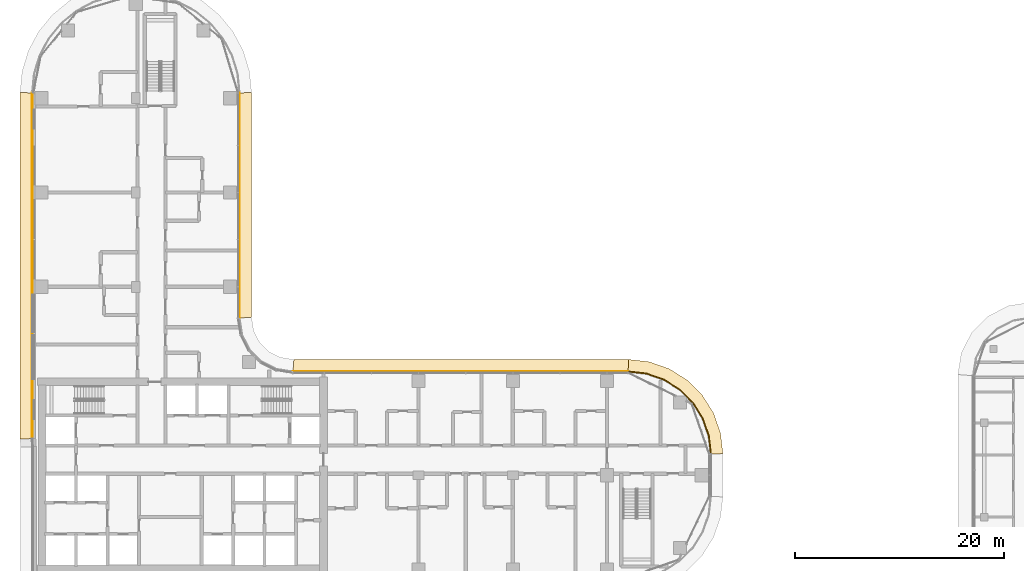
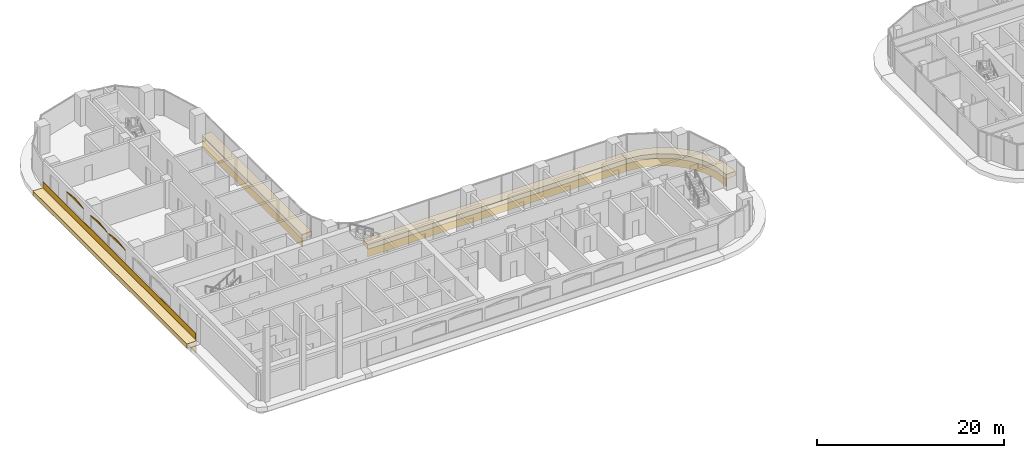
# One storey, part 36 of 40: 12 coverings.
"""IFC4 building model written with IfcOpenShell, lengths in metres."""

from ifc_helpers import new_model, si_unit, direction, frame, origin, origin_2d, place, context, subcontext, project, spatial, polyline, rectangle, outline, extrude, material, layer, layer_set, type_object, element, save


model = new_model("IFC4")

# Units and contexts
model_context = context("Model", 3, precision=1e-05, world=origin(), true_north=direction((0.0, 1.0)))
body_context = subcontext(model_context, "Body", "Model", "MODEL_VIEW")
ifc_project = project(units=[si_unit("LENGTHUNIT", "METRE"), si_unit("AREAUNIT", "SQUARE_METRE"), si_unit("VOLUMEUNIT", "CUBIC_METRE"), si_unit("PLANEANGLEUNIT", "RADIAN"), si_unit("MASSUNIT", "GRAM", prefix="KILO")], contexts=[model_context])

# Site, building, storey
site_placement = place(None, origin())
site = spatial("IfcSite", under=ifc_project, at=site_placement, CompositionType="ELEMENT")
building_placement = place(site_placement, origin())
building = spatial("IfcBuilding", under=site, at=building_placement, Name="Ogive Portal Towers", CompositionType="ELEMENT")
storey_placement = place(building_placement, frame((0.0, 0.0, 87.10009765625)))
storey = spatial("IfcBuildingStorey", under=building, at=storey_placement, Name="L20", CompositionType="ELEMENT", Elevation=87.10009765625)

# Coverings
ifc_material = material(Name="Limestone cladding on lightweight block wall", Category="masonry")
ifc_layer_1 = layer(ifc_material, 0.0400390625)
ifc_layer_set_1 = layer_set([ifc_layer_1], Name="LANCET HEAD STONE")
covering_type_1 = type_object("IfcCoveringType", Name="LANCET HEAD STONE", PredefinedType="CLADDING", material=ifc_layer_set_1)
for number, where, z_axis, x_axis, name in (
    (1, (30.64501953125, 61.85009765625, 2.599853515625), (0.999948962613, 0.0, 0.010103077205), (0.0, -1.0, 0.0), "Lancet head"),
    (2, (30.64501953125, 56.75, 2.599853515625), (0.999948962613, 0.0, 0.010103077205), (0.0, -1.0, 0.0), "Lancet head"),
    (3, (30.64501953125, 52.85009765625, 2.599853515625), (0.999948962613, 0.0, 0.010103077205), (0.0, -1.0, 0.0), "Lancet head"),
):
    element("IfcCovering", number, at=place(storey_placement, frame(where, z_axis=z_axis, x_axis=x_axis)), inside=storey, type_object=covering_type_1, Name=name, PredefinedType="CLADDING", context=body_context, shape_type="SweptSolid", body=[
        extrude(outline(polyline([(0.0, 0.0), (3.60009765625, 0.0), (3.5205078125, -0.037600670507037484), (3.375, -0.07495474627779121), (3.186767578125, -0.1125554167848287), (2.963623046875, -0.15015362072028288), (2.710693359375, -0.18751016306261992), (2.430908203125, -0.2251083669980741), (2.126708984375, -0.2624649093404111), (1.800048828125, -0.3000631132758653), (1.473388671875, -0.2624649093404111), (1.169189453125, -0.2251083669980741), (0.889404296875, -0.18751016306261992), (0.636474609375, -0.15015362072028288), (0.413330078125, -0.1125554167848287), (0.22509765625, -0.07495474627779121), (0.07958984375, -0.037600670507037484), (0.0, 0.0)])), origin(), (0.0, 0.0, -1.0), 0.0400390625),
    ])
ifc_layer_2 = layer(ifc_material, 0.050048828125)
ifc_layer_set_2 = layer_set([ifc_layer_2], Name="SCREEN PERFORATED STONE")
covering_type_2 = type_object("IfcCoveringType", Name="SCREEN PERFORATED STONE", PredefinedType="CLADDING", material=ifc_layer_set_2)
covering_1_placement = place(storey_placement, frame((30.6201171875, 50.50146484375, 0.10009765625), z_axis=(0.0, 0.0, 1.0), x_axis=(0.0, -1.0, 0.0)))
element("IfcCovering", 4, at=covering_1_placement, inside=storey, type_object=covering_type_2, Name="Tracery screen", PredefinedType="CLADDING", context=body_context, shape_type="SweptSolid", body=[
    extrude(rectangle(XDim=32.781494140625, YDim=0.050048828125, at=origin_2d()), origin(), (0.0, 0.0, 1.0), 0.800048828125),
])
ifc_layer_3 = layer(ifc_material, 0.080078125)
ifc_layer_set_3 = layer_set([ifc_layer_3], Name="STONE SPANDREL 80")
covering_type_3 = type_object("IfcCoveringType", Name="STONE SPANDREL 80", PredefinedType="CLADDING", material=ifc_layer_set_3)
covering_2_placement = place(storey_placement, frame((0.0, 0.0, -1.60009765625)))
element("IfcCovering", 5, at=covering_2_placement, inside=storey, type_object=covering_type_3, Name="Stone spandrel A1-F08", PredefinedType="CLADDING", context=body_context, shape_type="SweptSolid", body=[
    extrude(outline(polyline([(95.35498046875, 32.5), (95.157958984375, 34.247802734375), (94.5771484375, 35.908203125), (93.641357421875, 37.3974609375), (92.3974609375, 38.641357421875), (90.908203125, 39.5771484375), (89.247802734375, 40.157958984375), (87.5, 40.35498046875), (87.50439453125, 40.43505859375), (89.265869140625, 40.236572265625), (90.943115234375, 39.649658203125), (92.44775390625, 38.704345703125), (93.704345703125, 37.44775390625), (94.649658203125, 35.943115234375), (95.236572265625, 34.265869140625), (95.43505859375, 32.50439453125), (95.35498046875, 32.5)])), origin(), (0.0, 0.0, 1.0), 1.0),
])
covering_3_placement = place(storey_placement, frame((0.0, 0.0, -1.60009765625)))
element("IfcCovering", 6, at=covering_3_placement, inside=storey, type_object=covering_type_3, Name="Stone spandrel A1-F09", PredefinedType="CLADDING", context=body_context, shape_type="SweptSolid", body=[
    extrude(outline(polyline([(87.5, 40.35498046875), (55.5, 40.35498046875), (55.50634765625, 40.43505859375), (87.50439453125, 40.43505859375), (87.5, 40.35498046875)])), origin(), (0.0, 0.0, 1.0), 1.0),
])
covering_4_placement = place(storey_placement, frame((0.0, 0.0, -1.60009765625)))
element("IfcCovering", 7, at=covering_4_placement, inside=storey, type_object=covering_type_3, Name="Stone spandrel A1-F11", PredefinedType="CLADDING", context=body_context, shape_type="SweptSolid", body=[
    extrude(outline(polyline([(50.35498046875, 45.5), (50.35498046875, 67.0), (50.43505859375, 67.00390625), (50.43505859375, 45.50634765625), (50.35498046875, 45.5)])), origin(), (0.0, 0.0, 1.0), 1.0),
])
covering_5_placement = place(storey_placement, frame((0.0, 0.0, -1.60009765625)))
element("IfcCovering", 8, at=covering_5_placement, inside=storey, type_object=covering_type_3, Name="Stone spandrel A1-F13", PredefinedType="CLADDING", context=body_context, shape_type="SweptSolid", body=[
    extrude(outline(polyline([(30.64501953125, 67.0), (30.64501953125, 34.0), (30.56494140625, 33.9970703125), (30.56494140625, 67.00390625), (30.64501953125, 67.0)])), origin(), (0.0, 0.0, 1.0), 1.0),
])
ifc_layer_4 = layer(ifc_material, 0.60009765625)
ifc_layer_set_4 = layer_set([ifc_layer_4], Name="SUNSHADE LIP 600")
covering_type_4 = type_object("IfcCoveringType", Name="SUNSHADE LIP 600", PredefinedType="CLADDING", material=ifc_layer_set_4)
covering_6_placement = place(storey_placement, frame((0.0, 0.0, -0.60009765625)))
element("IfcCovering", 9, at=covering_6_placement, inside=storey, type_object=covering_type_4, Name="Sunshade lip A1-F08", PredefinedType="CLADDING", context=body_context, shape_type="SweptSolid", body=[
    extrude(outline(polyline([(95.35498046875, 32.5), (95.157958984375, 34.247802734375), (94.5771484375, 35.908203125), (93.641357421875, 37.3974609375), (92.3974609375, 38.641357421875), (90.908203125, 39.5771484375), (89.247802734375, 40.157958984375), (87.5, 40.35498046875), (87.5673828125, 41.554931640625), (89.5166015625, 41.33544921875), (91.43212890625, 40.6650390625), (93.150390625, 39.58544921875), (94.58544921875, 38.150390625), (95.6650390625, 36.43212890625), (96.33544921875, 34.5166015625), (96.554931640625, 32.5673828125), (95.35498046875, 32.5)])), origin(), (0.0, 0.0, 1.0), 0.60009765625),
])
covering_7_placement = place(storey_placement, frame((0.0, 0.0, -0.60009765625)))
element("IfcCovering", 10, at=covering_7_placement, inside=storey, type_object=covering_type_4, Name="Sunshade lip A1-F09", PredefinedType="CLADDING", context=body_context, shape_type="SweptSolid", body=[
    extrude(outline(polyline([(87.5, 40.35498046875), (55.5, 40.35498046875), (55.594482421875, 41.554931640625), (87.5673828125, 41.554931640625), (87.5, 40.35498046875)])), origin(), (0.0, 0.0, 1.0), 0.60009765625),
])
covering_8_placement = place(storey_placement, frame((0.0, 0.0, -0.60009765625)))
element("IfcCovering", 11, at=covering_8_placement, inside=storey, type_object=covering_type_4, Name="Sunshade lip A1-F11", PredefinedType="CLADDING", context=body_context, shape_type="SweptSolid", body=[
    extrude(outline(polyline([(50.35498046875, 45.5), (50.35498046875, 67.0), (51.554931640625, 67.058837890625), (51.554931640625, 45.594482421875), (50.35498046875, 45.5)])), origin(), (0.0, 0.0, 1.0), 0.60009765625),
])
covering_9_placement = place(storey_placement, frame((0.0, 0.0, -0.60009765625)))
element("IfcCovering", 12, at=covering_9_placement, inside=storey, type_object=covering_type_4, Name="Sunshade lip A1-F13", PredefinedType="CLADDING", context=body_context, shape_type="SweptSolid", body=[
    extrude(outline(polyline([(30.64501953125, 67.0), (30.64501953125, 34.0), (29.445068359375, 33.95703125), (29.445068359375, 67.058837890625), (30.64501953125, 67.0)])), origin(), (0.0, 0.0, 1.0), 0.60009765625),
])

save(model, "model.ifc")
